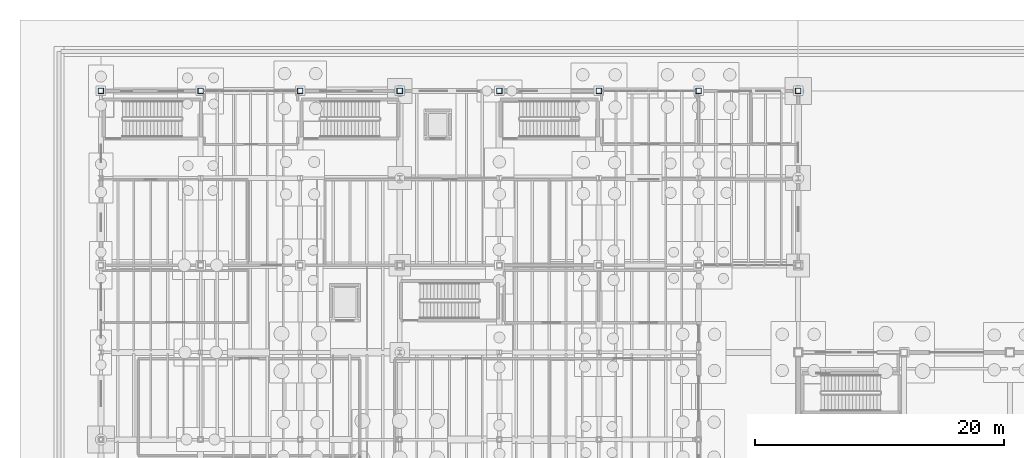
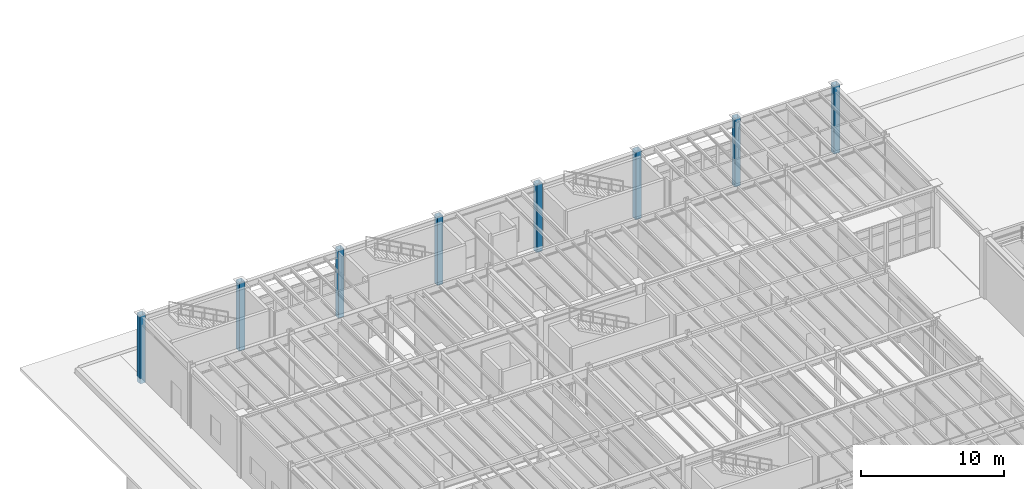
# One storey, part 18 of 86: 8 columns.
"""IFC4 building model written with IfcOpenShell, lengths in metres."""

from ifc_helpers import new_model, si_unit, direction, frame, origin, origin_2d, place, context, subcontext, project, spatial, hollow_rectangle, extrude, material, material_profile, profile_set, type_object, element, save


model = new_model("IFC4")

# Units and contexts
model_context = context("Model", 3, precision=1e-05, world=origin(), true_north=direction((0.0, 1.0)))
body_context = subcontext(model_context, "Body", "Model", "MODEL_VIEW")
ifc_project = project(units=[si_unit("LENGTHUNIT", "METRE"), si_unit("AREAUNIT", "SQUARE_METRE"), si_unit("VOLUMEUNIT", "CUBIC_METRE"), si_unit("PLANEANGLEUNIT", "RADIAN"), si_unit("MASSUNIT", "GRAM", prefix="KILO"), si_unit("THERMODYNAMICTEMPERATUREUNIT", "KELVIN"), si_unit("POWERUNIT", "WATT")], contexts=[model_context])

# Site, building, storey
site_placement = place(None, origin())
site = spatial("IfcSite", under=ifc_project, at=site_placement, CompositionType="ELEMENT")
building_placement = place(site_placement, origin())
building = spatial("IfcBuilding", under=site, at=building_placement, Name="Zhenchuan Central Fire Station", CompositionType="ELEMENT")
storey_placement = place(building_placement, frame((0.0, 0.0, 0.449951171875)))
storey = spatial("IfcBuildingStorey", under=building, at=storey_placement, Name="L01", CompositionType="ELEMENT", Elevation=0.449951171875)

# Columns
ifc_material = material(Name="Steel Q355B", Category="steel")
ifc_material_profile = material_profile(ifc_material, hollow_rectangle(XDim=0.449951171875, YDim=0.449951171875, WallThickness=0.02197265625, at=origin_2d()), Name="BOX 450x450x22")
ifc_profile_set = profile_set([ifc_material_profile], Name="Steel Q355B")
column_type = type_object("IfcColumnType", Name="COL-BOX450", PredefinedType="COLUMN", material=ifc_profile_set)
for number, where, z_axis, x_axis, name in (
    (1, (0.0, 56.5, -0.449951171875), (0.0, 0.0, 1.0), (1.0, 0.0, 0.0), "L01 Column 009"),
    (2, (8.0, 56.5, -0.449951171875), (0.0, 0.0, 1.0), (1.0, 0.0, 0.0), "L01 Column 018"),
    (3, (16.0, 56.5, -0.449951171875), (0.0, 0.0, 1.0), (1.0, 0.0, 0.0), "L01 Column 027"),
    (4, (24.0, 56.5, -0.449951171875), (0.0, 0.0, 1.0), (1.0, 0.0, 0.0), "L01 Column 036"),
    (5, (32.0, 56.5, -0.449951171875), (0.0, 0.0, 1.0), (1.0, 0.0, 0.0), "L01 Column 045"),
    (6, (40.0, 56.5, -0.449951171875), (0.0, 0.0, 1.0), (1.0, 0.0, 0.0), "L01 Column 054"),
    (7, (48.0, 56.5, -0.449951171875), (0.0, 0.0, 1.0), (1.0, 0.0, 0.0), "L01 Column 063"),
    (8, (56.0, 56.5, -0.449951171875), (0.0, 0.0, 1.0), (1.0, 0.0, 0.0), "L01 Column 069"),
):
    element("IfcColumn", number, at=place(storey_placement, frame(where, z_axis=z_axis, x_axis=x_axis)), inside=storey, type_object=column_type, Name=name, PredefinedType="COLUMN", context=body_context, shape_type="SweptSolid", body=[
        extrude(hollow_rectangle(XDim=0.449951171875, YDim=0.449951171875, WallThickness=0.02197265625, at=origin_2d()), origin(), (0.0, 0.0, 1.0), 5.85009765625),
    ])

save(model, "model.ifc")
